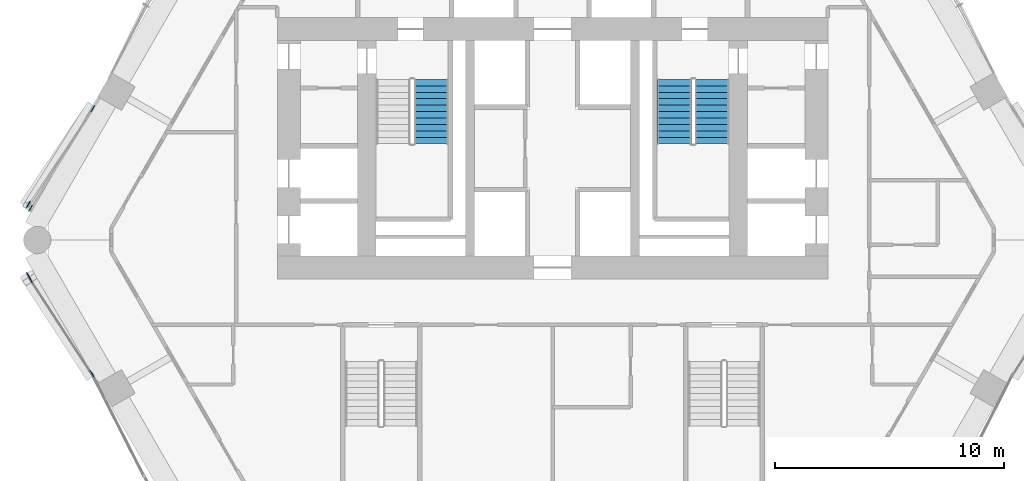
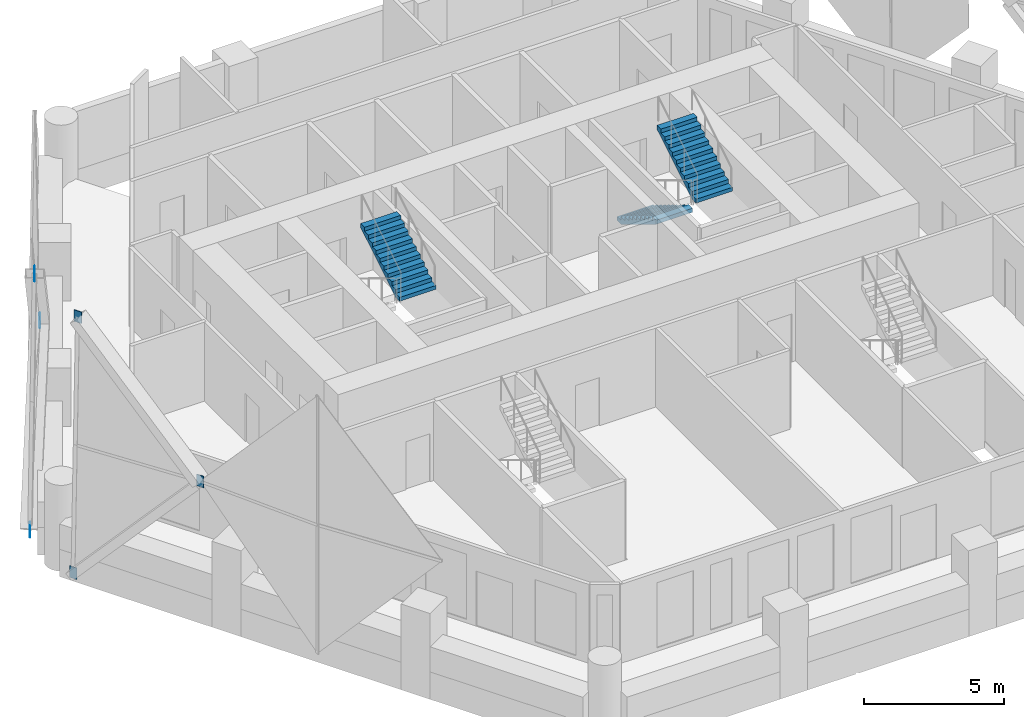
# One storey, part 14 of 16: 6 discrete accessories, 3 stair flights, 2 elements without a shape of their own.
"""IFC4 building model written with IfcOpenShell, lengths in metres."""

from ifc_helpers import new_model, si_unit, direction, frame, origin, origin_2d, place, context, subcontext, project, spatial, polyline, rectangle, outline, extrude, material, layer, layer_set, type_object, element, aggregate, save


model = new_model("IFC4")

# Units and contexts
model_context = context("Model", 3, precision=1e-05, world=origin(), true_north=direction((0.0, 1.0)))
body_context = subcontext(model_context, "Body", "Model", "MODEL_VIEW")
ifc_project = project(units=[si_unit("LENGTHUNIT", "METRE"), si_unit("AREAUNIT", "SQUARE_METRE"), si_unit("VOLUMEUNIT", "CUBIC_METRE"), si_unit("PLANEANGLEUNIT", "RADIAN"), si_unit("MASSUNIT", "GRAM", prefix="KILO")], contexts=[model_context])

# Site, building, storey
site_placement = place(None, origin())
site = spatial("IfcSite", under=ifc_project, at=site_placement, CompositionType="ELEMENT")
building_placement = place(site_placement, origin())
building = spatial("IfcBuilding", under=site, at=building_placement, Name="Ostrander Bayou Hotel Tower", CompositionType="ELEMENT")
storey_placement = place(building_placement, frame((0.0, 0.0, 85.5)))
storey = spatial("IfcBuildingStorey", under=building, at=storey_placement, Name="L21", CompositionType="ELEMENT", Elevation=85.5)

# Stair, stair flight
ifc_material_1 = material(Name="Concrete f'c 45 MPa", Category="concrete")
stair_type = type_object("IfcStairType", Name="ST1 exit stair 1500 mm f'c 45 MPa", PredefinedType="HALF_TURN_STAIR", material=ifc_material_1)
stair_1_placement = place(storey_placement, origin())
stair_1 = element("IfcStair", 1, at=stair_1_placement, inside=storey, type_object=stair_type, Name="L21 exit stair A", PredefinedType="HALF_TURN_STAIR")
ifc_material_2 = material(Name="Concrete f'c 45 MPa", Category="concrete")
stair_flight_type = type_object("IfcStairFlightType", Name="SF1 stair flight 1500 mm f'c 45 MPa", PredefinedType="STRAIGHT", material=ifc_material_2)
stair_flight_1_placement = place(storey_placement, frame((-5.300048828125, 4.199951171875, 1.875), z_axis=(0.0, 0.0, 1.0), x_axis=(0.0, 1.0, 0.0)))
stair_flight_1 = element("IfcStairFlight", 2, at=stair_flight_1_placement, type_object=stair_flight_type, Name="STA flight 2", NumberOfRisers=11, NumberOfTreads=10, PredefinedType="STRAIGHT", RiserHeight=0.170454545, TreadLength=0.28, context=body_context, shape_type="SweptSolid", body=[
    extrude(outline(polyline([(0.0, 0.0), (0.0, 0.17041015625), (0.280029296875, 0.17041015625), (0.280029296875, 0.3408203125), (0.56005859375, 0.3408203125), (0.56005859375, 0.511474609375), (0.840087890625, 0.511474609375), (0.840087890625, 0.681884765625), (1.1201171875, 0.681884765625), (1.1201171875, 0.852294921875), (1.39990234375, 0.852294921875), (1.39990234375, 1.022705078125), (1.679931640625, 1.022705078125), (1.679931640625, 1.193115234375), (1.9599609375, 1.193115234375), (1.9599609375, 1.363525390625), (2.239990234375, 1.363525390625), (2.239990234375, 1.5341796875), (2.52001953125, 1.5341796875), (2.52001953125, 1.70458984375), (2.800048828125, 1.70458984375), (2.800048828125, 1.875), (2.800048828125, 1.529052734375), (0.288330078125, 0.0), (0.0, 0.0)])), frame((0.0, 0.75, 0.0), z_axis=(0.0, -1.0, 0.0), x_axis=(1.0, 0.0, 0.0)), (0.0, 0.0, 1.0), 1.5),
])
aggregate(stair_1, [stair_flight_1])

# Stair, stair flights
stair_2_placement = place(storey_placement, origin())
stair_2 = element("IfcStair", 3, at=stair_2_placement, inside=storey, type_object=stair_type, Name="L21 exit stair B", PredefinedType="HALF_TURN_STAIR")
stair_flight_2_placement = place(storey_placement, frame((5.300048828125, 7.0, 0.0), z_axis=(0.0, 0.0, 1.0), x_axis=(0.0, -1.0, 0.0)))
stair_flight_2 = element("IfcStairFlight", 4, at=stair_flight_2_placement, type_object=stair_flight_type, Name="STB flight 1", NumberOfRisers=11, NumberOfTreads=10, PredefinedType="STRAIGHT", RiserHeight=0.170454545, TreadLength=0.28, context=body_context, shape_type="SweptSolid", body=[
    extrude(outline(polyline([(0.0, 0.0), (0.0, 0.17041015625), (0.280029296875, 0.17041015625), (0.280029296875, 0.3408203125), (0.56005859375, 0.3408203125), (0.56005859375, 0.511474609375), (0.840087890625, 0.511474609375), (0.840087890625, 0.681884765625), (1.1201171875, 0.681884765625), (1.1201171875, 0.852294921875), (1.39990234375, 0.852294921875), (1.39990234375, 1.022705078125), (1.679931640625, 1.022705078125), (1.679931640625, 1.193115234375), (1.9599609375, 1.193115234375), (1.9599609375, 1.363525390625), (2.239990234375, 1.363525390625), (2.239990234375, 1.5341796875), (2.52001953125, 1.5341796875), (2.52001953125, 1.70458984375), (2.800048828125, 1.70458984375), (2.800048828125, 1.875), (2.800048828125, 1.529052734375), (0.288330078125, 0.0), (0.0, 0.0)])), frame((0.0, 0.75, 0.0), z_axis=(0.0, -1.0, 0.0), x_axis=(1.0, 0.0, 0.0)), (0.0, 0.0, 1.0), 1.5),
])
stair_flight_3_placement = place(storey_placement, frame((6.949951171875, 4.199951171875, 1.875), z_axis=(0.0, 0.0, 1.0), x_axis=(0.0, 1.0, 0.0)))
stair_flight_3 = element("IfcStairFlight", 5, at=stair_flight_3_placement, type_object=stair_flight_type, Name="STB flight 2", NumberOfRisers=11, NumberOfTreads=10, PredefinedType="STRAIGHT", RiserHeight=0.170454545, TreadLength=0.28, context=body_context, shape_type="SweptSolid", body=[
    extrude(outline(polyline([(0.0, 0.0), (0.0, 0.17041015625), (0.280029296875, 0.17041015625), (0.280029296875, 0.3408203125), (0.56005859375, 0.3408203125), (0.56005859375, 0.511474609375), (0.840087890625, 0.511474609375), (0.840087890625, 0.681884765625), (1.1201171875, 0.681884765625), (1.1201171875, 0.852294921875), (1.39990234375, 0.852294921875), (1.39990234375, 1.022705078125), (1.679931640625, 1.022705078125), (1.679931640625, 1.193115234375), (1.9599609375, 1.193115234375), (1.9599609375, 1.363525390625), (2.239990234375, 1.363525390625), (2.239990234375, 1.5341796875), (2.52001953125, 1.5341796875), (2.52001953125, 1.70458984375), (2.800048828125, 1.70458984375), (2.800048828125, 1.875), (2.800048828125, 1.529052734375), (0.288330078125, 0.0), (0.0, 0.0)])), frame((0.0, 0.75, 0.0), z_axis=(0.0, -1.0, 0.0), x_axis=(1.0, 0.0, 0.0)), (0.0, 0.0, 1.0), 1.5),
])
aggregate(stair_2, [stair_flight_2, stair_flight_3])

# Discrete accessories
ifc_material_3 = material(Name="Steel ASTM A572 Gr 50", Category="steel")
ifc_layer = layer(ifc_material_3, 0.030029296875)
ifc_layer_set = layer_set([ifc_layer], Name="GP1 gusset plate 30 mm")
discrete_accessory_type = type_object("IfcDiscreteAccessoryType", Name="GP1 gusset plate 30 mm", PredefinedType="BRACKET", material=ifc_layer_set)
for number, where, z_axis, x_axis, name in (
    (6, (-20.04736328125, 5.724853515625, 4.77490234375), (0.0, 0.0, 1.0), (-0.5, -0.866025403784, 0.0), "GP1 gusset plate lat 132"),
    (7, (-22.8564453125, 1.551513671875, -0.85009765625), (0.0, 0.0, 1.0), (-0.5, -0.866025403784, 0.0), "GP1 gusset plate lat 133"),
    (8, (-22.761962890625, 1.387939453125, 10.39990234375), (0.0, 0.0, 1.0), (-0.5, -0.866025403784, 0.0), "GP1 gusset plate lat 134"),
    (9, (-20.082763671875, -5.826904296875, 4.77490234375), (0.0, 0.0, 1.0), (0.5, -0.866025403784, 0.0), "GP1 gusset plate lat 135"),
    (10, (-22.8564453125, -1.551513671875, -0.85009765625), (0.0, 0.0, 1.0), (0.5, -0.866025403784, 0.0), "GP1 gusset plate lat 136"),
    (11, (-22.761962890625, -1.715087890625, 10.39990234375), (0.0, 0.0, 1.0), (0.5, -0.866025403784, 0.0), "GP1 gusset plate lat 137"),
):
    element("IfcDiscreteAccessory", number, at=place(storey_placement, frame(where, z_axis=z_axis, x_axis=x_axis)), inside=storey, type_object=discrete_accessory_type, Name=name, PredefinedType="BRACKET", context=body_context, shape_type="SweptSolid", body=[
        extrude(rectangle(XDim=0.300048828125, YDim=0.030029296875, at=origin_2d()), origin(), (0.0, 0.0, 1.0), 0.5),
    ])

save(model, "model.ifc")
